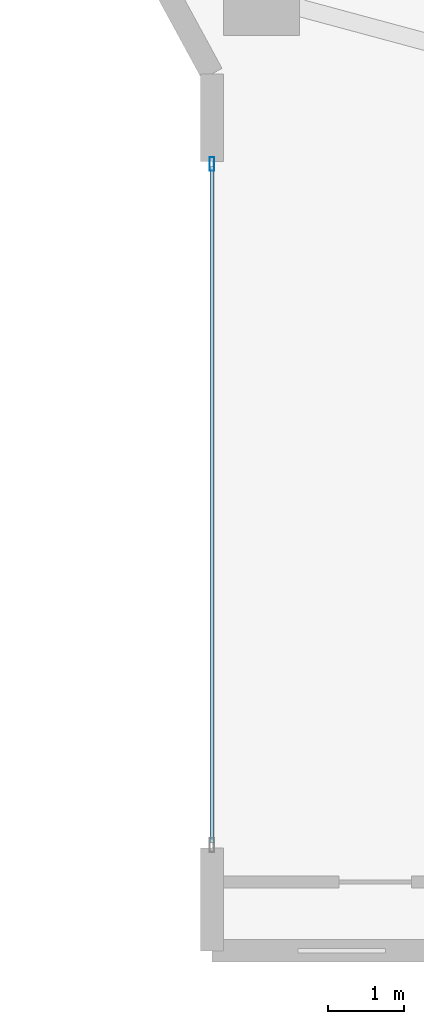
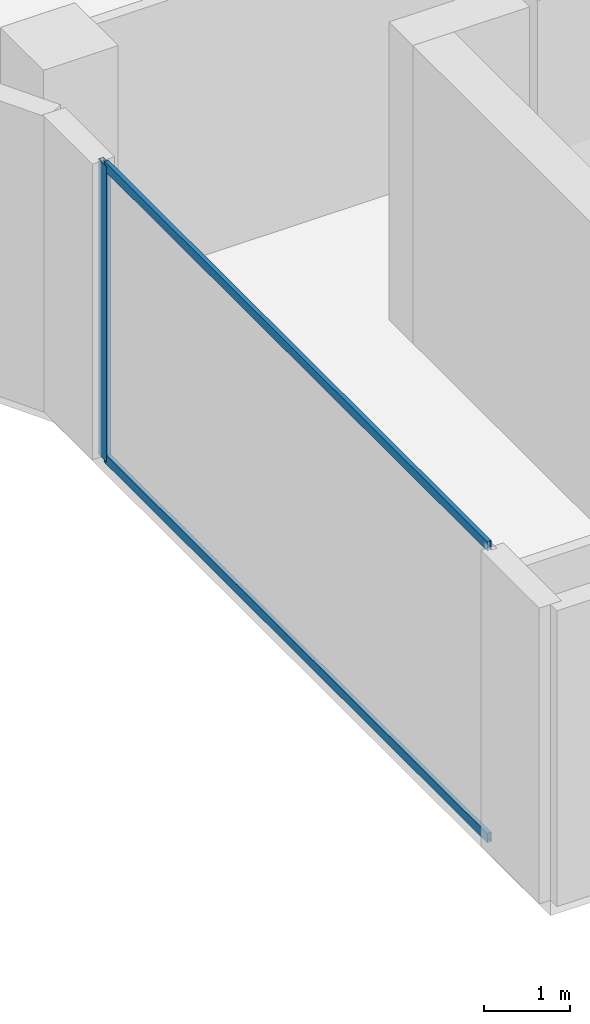
# One storey, part 3 of 24: 3 members, 1 element without a shape of its own.
"""IFC4 building model written with IfcOpenShell, lengths in metres."""

from ifc_helpers import new_model, si_unit, direction, frame, origin, origin_2d, place, context, subcontext, project, spatial, hollow_rectangle, extrude, material, layer, layer_set, material_profile, profile_set, type_object, element, aggregate, save


model = new_model("IFC4")

# Units and contexts
model_context = context("Model", 3, precision=1e-05, world=origin(), true_north=direction((0.0, 1.0)))
body_context = subcontext(model_context, "Body", "Model", "MODEL_VIEW")
ifc_project = project(units=[si_unit("LENGTHUNIT", "METRE"), si_unit("AREAUNIT", "SQUARE_METRE"), si_unit("VOLUMEUNIT", "CUBIC_METRE"), si_unit("PLANEANGLEUNIT", "RADIAN"), si_unit("MASSUNIT", "GRAM", prefix="KILO")], contexts=[model_context])

# Site, building, storey
site_placement = place(None, origin())
site = spatial("IfcSite", under=ifc_project, at=site_placement, CompositionType="ELEMENT")
building_placement = place(site_placement, origin())
building = spatial("IfcBuilding", under=site, at=building_placement, Name="Zuhayl Quay Hotel", CompositionType="ELEMENT")
storey_placement = place(building_placement, frame((0.0, 0.0, 284.050048828125)))
storey = spatial("IfcBuildingStorey", under=building, at=storey_placement, Name="L72", CompositionType="ELEMENT", Elevation=284.050048828125)

# Curtain wall, members
ifc_material_1 = material(Name="Anodised Aluminium 6063-T6", Category="aluminium")
ifc_layer = layer(ifc_material_1, 0.169921875, Name="Anodised Aluminium 6063-T6", Category="aluminium")
ifc_layer_set = layer_set([ifc_layer], Name="Anodised Aluminium 6063-T6")
curtain_wall_type = type_object("IfcCurtainWallType", Name="CW_SYS_Z4", PredefinedType="USERDEFINED", material=ifc_layer_set)
curtain_wall_placement = place(storey_placement, origin())
curtain_wall = element("IfcCurtainWall", 1, at=curtain_wall_placement, inside=storey, type_object=curtain_wall_type, Name="L72 Curtain Wall ENV_L72_E02_CW1", ObjectType="UNITISED CURTAIN WALL", PredefinedType="USERDEFINED")
ifc_material_2 = material(Name="Black-anodised aluminium 6063-T6", Category="aluminium")
ifc_material_profile_1 = material_profile(ifc_material_2, hollow_rectangle(XDim=0.06494140625, YDim=0.179931640625, WallThickness=0.00341796875, at=origin_2d()), Name="ALU180X65")
ifc_profile_set_1 = profile_set([ifc_material_profile_1], Name="Black-anodised aluminium 6063-T6")
member_type_1 = type_object("IfcMemberType", Name="MB_CW_MUL_180", PredefinedType="MULLION", material=ifc_profile_set_1)
member_1_placement = place(storey_placement, frame((-20.199951171875, 13.717529296875, 0.0), z_axis=(0.0, 0.0, 1.0), x_axis=(-1.0, 0.0, 0.0)))
member_1 = element("IfcMember", 2, at=member_1_placement, type_object=member_type_1, Name="CW-Z4 mullion 2", PredefinedType="MULLION", context=body_context, shape_type="SweptSolid", body=[
    extrude(hollow_rectangle(XDim=0.06494140625, YDim=0.179931640625, WallThickness=0.00341796875, at=origin_2d()), origin(), (0.0, 0.0, 1.0), 4.179931640625),
])
ifc_material_profile_2 = material_profile(ifc_material_2, hollow_rectangle(XDim=0.054931640625, YDim=0.1298828125, WallThickness=0.0029296875, at=origin_2d()), Name="ALU130X55")
ifc_profile_set_2 = profile_set([ifc_material_profile_2], Name="Black-anodised aluminium 6063-T6")
member_type_2 = type_object("IfcMemberType", Name="MB_CW_TRN_130", PredefinedType="USERDEFINED", material=ifc_profile_set_2)
member_2_placement = place(storey_placement, frame((-20.199951171875, 4.81494140625, 0.02734375), z_axis=(0.0, 1.0, 0.0), x_axis=(-1.0, 0.0, 0.0)))
member_2 = element("IfcMember", 3, at=member_2_placement, type_object=member_type_2, Name="CW-Z4 transom 1.1", ObjectType="TRANSOM", PredefinedType="USERDEFINED", context=body_context, shape_type="SweptSolid", body=[
    extrude(hollow_rectangle(XDim=0.054931640625, YDim=0.1298828125, WallThickness=0.0029296875, at=origin_2d()), origin(), (0.0, 0.0, 1.0), 8.8701171875),
])
member_3_placement = place(storey_placement, frame((-20.199951171875, 4.81494140625, 4.15234375), z_axis=(0.0, 1.0, 0.0), x_axis=(-1.0, 0.0, 0.0)))
member_3 = element("IfcMember", 4, at=member_3_placement, type_object=member_type_2, Name="CW-Z4 transom 1.2", ObjectType="TRANSOM", PredefinedType="USERDEFINED", context=body_context, shape_type="SweptSolid", body=[
    extrude(hollow_rectangle(XDim=0.054931640625, YDim=0.1298828125, WallThickness=0.0029296875, at=origin_2d()), origin(), (0.0, 0.0, 1.0), 8.8701171875),
])
aggregate(curtain_wall, [member_1, member_2, member_3])

save(model, "model.ifc")
